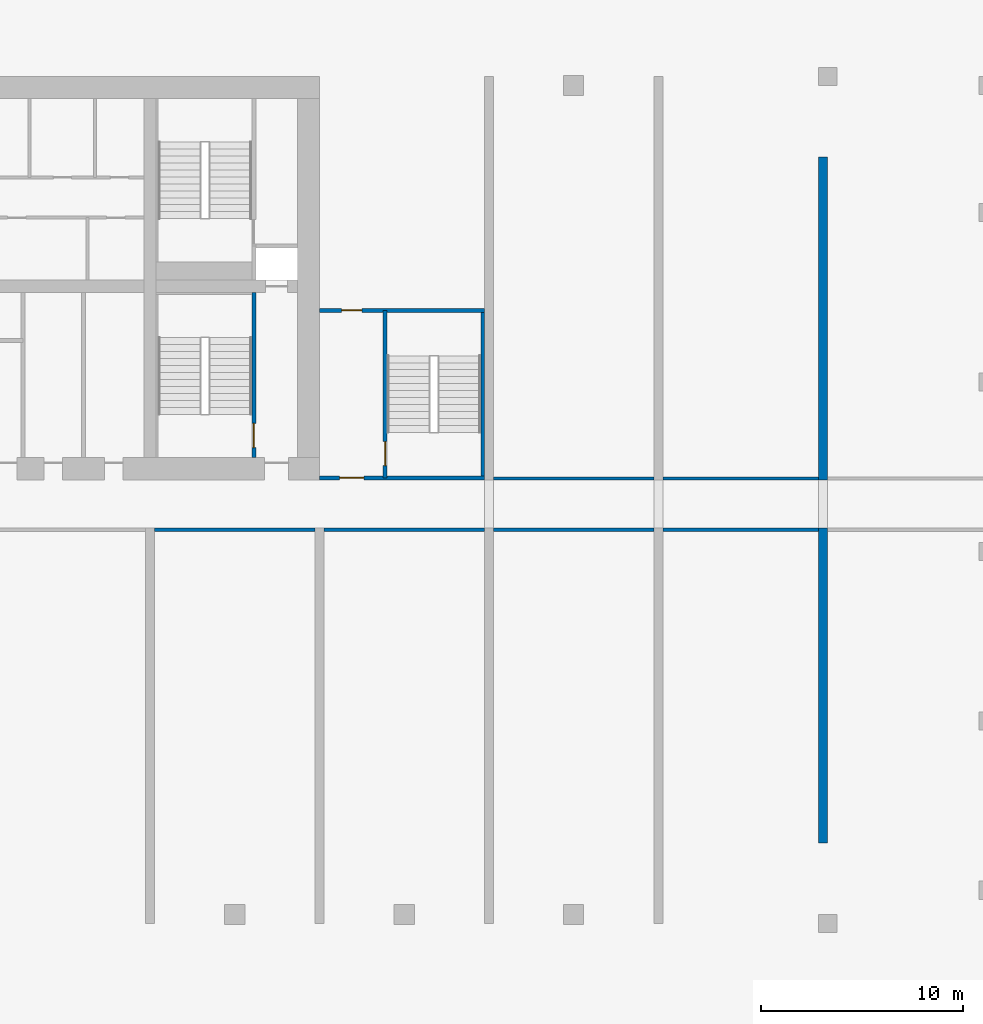
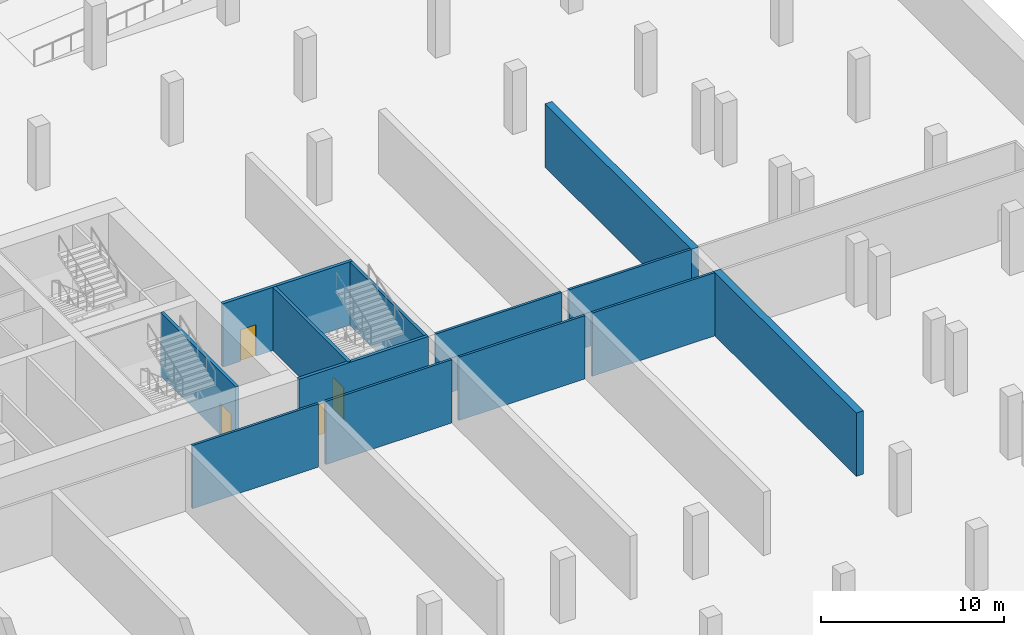
# One storey, part 6 of 12: 13 walls, 4 doors, 4 openings.
"""IFC4 building model written with IfcOpenShell, lengths in metres."""

from ifc_helpers import new_model, si_unit, direction, frame, frame_2d, origin, place, context, subcontext, project, spatial, rectangle, extrude, source, transform, mapped, material, layer, layer_set, type_object, element, fill, save


model = new_model("IFC4")

# Units and contexts
model_context = context("Model", 3, precision=1e-05, world=origin(), true_north=direction((0.0, 1.0)))
body_context = subcontext(model_context, "Body", "Model", "MODEL_VIEW")
ifc_project = project(units=[si_unit("LENGTHUNIT", "METRE"), si_unit("AREAUNIT", "SQUARE_METRE"), si_unit("VOLUMEUNIT", "CUBIC_METRE"), si_unit("PLANEANGLEUNIT", "RADIAN"), si_unit("MASSUNIT", "GRAM", prefix="KILO")], contexts=[model_context])

# Site, building, storey
site_placement = place(None, origin())
site = spatial("IfcSite", under=ifc_project, at=site_placement, CompositionType="ELEMENT")
building_placement = place(site_placement, origin())
building = spatial("IfcBuilding", under=site, at=building_placement, Name="Vanashikhar Sky Hotel", CompositionType="ELEMENT")
storey_placement = place(building_placement, frame((0.0, 0.0, -4.5)))
storey = spatial("IfcBuildingStorey", under=building, at=storey_placement, Name="B1", CompositionType="ELEMENT", Elevation=-4.5)

# Walls
ifc_material_1 = material(Name="Concrete M80", Category="concrete")
ifc_layer_1 = layer(ifc_material_1, 0.449951171875)
ifc_layer_set_1 = layer_set([ifc_layer_1], Name="RC shear wall 450 Concrete M80")
wall_type_1 = type_object("IfcWallType", Name="RC shear wall 450 Concrete M80", PredefinedType="SHEAR", material=ifc_layer_set_1)
shared_shape_1 = source(origin(), body_context, "Body", "SweptSolid", [
    extrude(rectangle(XDim=15.60009765625, YDim=0.449951171875, at=frame_2d((7.800048828125, 0.0))), origin(), (0.0, 0.0, 1.0), 4.219970703125),
])
wall_1_placement = place(storey_placement, frame((100.574951171875, 4.0, 0.0), z_axis=(0.0, 0.0, 1.0), x_axis=(0.0, 1.0, 0.0)))
element("IfcWall", 1, at=wall_1_placement, inside=storey, type_object=wall_type_1, Name="CW-B1-XW13-1", PredefinedType="SHEAR", context=body_context, shape_type="MappedRepresentation", body=[
    mapped(shared_shape_1, transform((0.0, 0.0, 0.0), scale=1.0)),
])
shared_shape_2 = source(origin(), body_context, "Body", "SweptSolid", [
    extrude(rectangle(XDim=16.0, YDim=0.449951171875, at=frame_2d((8.0, 0.0))), origin(), (0.0, 0.0, 1.0), 4.219970703125),
])
wall_2_placement = place(storey_placement, frame((100.574951171875, 22.0, 0.0), z_axis=(0.0, 0.0, 1.0), x_axis=(0.0, 1.0, 0.0)))
element("IfcWall", 2, at=wall_2_placement, inside=storey, type_object=wall_type_1, Name="CW-B1-XW13-2", PredefinedType="SHEAR", context=body_context, shape_type="MappedRepresentation", body=[
    mapped(shared_shape_2, transform((0.0, 0.0, 0.0), scale=1.0)),
])

# Wall, opening, door
ifc_material_2 = material(Name="Concrete M50", Category="concrete")
ifc_layer_2 = layer(ifc_material_2, 0.199951171875)
ifc_layer_set_2 = layer_set([ifc_layer_2], Name="Stair wall 200")
wall_type_2 = type_object("IfcWallType", Name="Stair wall 200", PredefinedType="SOLIDWALL", material=ifc_layer_set_2)
shared_shape_3 = source(origin(), body_context, "Body", "SweptSolid", [
    extrude(rectangle(XDim=8.199951171875, YDim=0.199951171875, at=frame_2d((4.10009765625, 0.0))), origin(), (0.0, 0.0, 1.0), 4.219970703125),
])
wall_3_placement = place(storey_placement, frame((72.35009765625, 23.10009765625, 0.0), z_axis=(0.0, 0.0, 1.0), x_axis=(0.0, 1.0, 0.0)))
wall_3 = element("IfcWall", 3, at=wall_3_placement, inside=storey, type_object=wall_type_2, Name="Stair wall 200", PredefinedType="SOLIDWALL", context=body_context, shape_type="MappedRepresentation", body=[
    mapped(shared_shape_3, transform((0.0, 0.0, 0.0), scale=1.0)),
])
shared_shape_4 = source(origin(), body_context, "Body", "SweptSolid", [
    extrude(rectangle(XDim=1.199951171875, YDim=2.10009765625, at=frame_2d((0.60009765625, 1.050048828125))), frame((0.0, 0.10986328125, 0.0), z_axis=(0.0, -1.0, 0.0), x_axis=(1.0, 0.0, 0.0)), (0.0, 0.0, 1.0), 0.219970703125),
])
opening_1_placement = place(wall_3_placement, frame((0.5, 0.0, 0.0)))
opening_1 = element("IfcOpeningElement", 4, at=opening_1_placement, cuts=wall_3, Name="Opening DC-1", PredefinedType="OPENING", context=body_context, shape_type="MappedRepresentation", body=[
    mapped(shared_shape_4, transform((0.0, 0.0, 0.0), scale=1.0)),
])
ifc_material_3 = material(Name="Steel", Category="steel")
door_type_1 = type_object("IfcDoorType", Name="Stair door 1200 FD120", OperationType="NOTDEFINED", PredefinedType="DOOR", material=ifc_material_3)
shared_shape_5 = source(origin(), body_context, "Body", "SweptSolid", [
    extrude(rectangle(XDim=1.199951171875, YDim=2.10009765625, at=frame_2d((0.60009765625, 1.050048828125))), frame((0.0, 0.02490234375, 0.0), z_axis=(0.0, -1.0, 0.0), x_axis=(1.0, 0.0, 0.0)), (0.0, 0.0, 1.0), 0.050048828125),
])
door_1_placement = place(opening_1_placement, origin())
door_1 = element("IfcDoor", 5, at=door_1_placement, inside=storey, type_object=door_type_1, Name="Stair door 1200 FD120", OperationType="SINGLE_SWING_RIGHT", OverallHeight=2.10009765625, OverallWidth=1.199951171875, PredefinedType="DOOR", context=body_context, shape_type="MappedRepresentation", body=[
    mapped(shared_shape_5, transform((0.0, 0.0, 0.0), scale=1.0)),
])
fill(opening_1, door_1)

shared_shape_6 = source(origin(), body_context, "Body", "SweptSolid", [
    extrude(rectangle(XDim=8.2998046875, YDim=0.199951171875, at=frame_2d((4.14990234375, 0.0))), origin(), (0.0, 0.0, 1.0), 4.219970703125),
])
wall_4_placement = place(storey_placement, frame((78.85009765625, 22.10009765625, 0.0), z_axis=(0.0, 0.0, 1.0), x_axis=(0.0, 1.0, 0.0)))
wall_4 = element("IfcWall", 6, at=wall_4_placement, inside=storey, type_object=wall_type_2, Name="Stair wall 200", PredefinedType="SOLIDWALL", context=body_context, shape_type="MappedRepresentation", body=[
    mapped(shared_shape_6, transform((0.0, 0.0, 0.0), scale=1.0)),
])
opening_2_placement = place(wall_4_placement, frame((0.60009765625, 0.0, 0.0)))
opening_2 = element("IfcOpeningElement", 7, at=opening_2_placement, cuts=wall_4, Name="Opening DC-1", PredefinedType="OPENING", context=body_context, shape_type="MappedRepresentation", body=[
    mapped(shared_shape_4, transform((0.0, 0.0, 0.0), scale=1.0)),
])
door_2_placement = place(opening_2_placement, origin())
door_2 = element("IfcDoor", 8, at=door_2_placement, inside=storey, type_object=door_type_1, Name="Stair door 1200 FD120", OperationType="SINGLE_SWING_RIGHT", OverallHeight=2.10009765625, OverallWidth=1.199951171875, PredefinedType="DOOR", context=body_context, shape_type="MappedRepresentation", body=[
    mapped(shared_shape_5, transform((0.0, 0.0, 0.0), scale=1.0)),
])
fill(opening_2, door_2)

shared_shape_7 = source(origin(), body_context, "Body", "SweptSolid", [
    extrude(rectangle(XDim=8.1748046875, YDim=0.199951171875, at=frame_2d((4.08740234375, 0.0))), origin(), (0.0, 0.0, 1.0), 4.219970703125),
])
wall_5_placement = place(storey_placement, frame((83.77490234375, 22.10009765625, 0.0), z_axis=(0.0, 0.0, 1.0), x_axis=(-1.0, 0.0, 0.0)))
wall_5 = element("IfcWall", 9, at=wall_5_placement, inside=storey, type_object=wall_type_2, Name="Stair wall 200", PredefinedType="SOLIDWALL", context=body_context, shape_type="MappedRepresentation", body=[
    mapped(shared_shape_7, transform((0.0, 0.0, 0.0), scale=1.0)),
])
opening_3_placement = place(wall_5_placement, frame((5.97509765625, 0.0, 0.0)))
opening_3 = element("IfcOpeningElement", 10, at=opening_3_placement, cuts=wall_5, Name="Opening DC-2", PredefinedType="OPENING", context=body_context, shape_type="MappedRepresentation", body=[
    mapped(shared_shape_4, transform((0.0, 0.0, 0.0), scale=1.0)),
])
door_type_2 = type_object("IfcDoorType", Name="Firefighting lobby door 1200 FD120", OperationType="NOTDEFINED", PredefinedType="DOOR", material=ifc_material_3)
door_3_placement = place(opening_3_placement, origin())
door_3 = element("IfcDoor", 11, at=door_3_placement, inside=storey, type_object=door_type_2, Name="Firefighting lobby door 1200 FD120", OperationType="SINGLE_SWING_LEFT", OverallHeight=2.10009765625, OverallWidth=1.199951171875, PredefinedType="DOOR", context=body_context, shape_type="MappedRepresentation", body=[
    mapped(shared_shape_5, transform((0.0, 0.0, 0.0), scale=1.0)),
])
fill(opening_3, door_3)

wall_6_placement = place(storey_placement, frame((83.77490234375, 30.39990234375, 0.0), z_axis=(0.0, 0.0, 1.0), x_axis=(-1.0, 0.0, 0.0)))
wall_6 = element("IfcWall", 12, at=wall_6_placement, inside=storey, type_object=wall_type_2, Name="Stair wall 200", PredefinedType="SOLIDWALL", context=body_context, shape_type="MappedRepresentation", body=[
    mapped(shared_shape_7, transform((0.0, 0.0, 0.0), scale=1.0)),
])
shared_shape_8 = source(origin(), body_context, "Body", "SweptSolid", [
    extrude(rectangle(XDim=1.0, YDim=2.10009765625, at=frame_2d((0.5, 1.050048828125))), frame((0.0, 0.10986328125, 0.0), z_axis=(0.0, -1.0, 0.0), x_axis=(1.0, 0.0, 0.0)), (0.0, 0.0, 1.0), 0.219970703125),
])
opening_4_placement = place(wall_6_placement, frame((6.074951171875, 0.0, 0.0)))
opening_4 = element("IfcOpeningElement", 13, at=opening_4_placement, cuts=wall_6, Name="Opening DC-6", PredefinedType="OPENING", context=body_context, shape_type="MappedRepresentation", body=[
    mapped(shared_shape_8, transform((0.0, 0.0, 0.0), scale=1.0)),
])
door_type_3 = type_object("IfcDoorType", Name="Pocket door 1000 FD60", OperationType="NOTDEFINED", PredefinedType="DOOR", material=ifc_material_3)
shared_shape_9 = source(origin(), body_context, "Body", "SweptSolid", [
    extrude(rectangle(XDim=1.0, YDim=2.10009765625, at=frame_2d((0.5, 1.050048828125))), frame((0.0, 0.02490234375, 0.0), z_axis=(0.0, -1.0, 0.0), x_axis=(1.0, 0.0, 0.0)), (0.0, 0.0, 1.0), 0.050048828125),
])
door_4_placement = place(opening_4_placement, origin())
door_4 = element("IfcDoor", 14, at=door_4_placement, inside=storey, type_object=door_type_3, Name="Pocket door 1000 FD60", OperationType="SINGLE_SWING_LEFT", OverallHeight=2.10009765625, OverallWidth=1.0, PredefinedType="DOOR", context=body_context, shape_type="MappedRepresentation", body=[
    mapped(shared_shape_9, transform((0.0, 0.0, 0.0), scale=1.0)),
])
fill(opening_4, door_4)

# Walls
ifc_layer_3 = layer(ifc_material_2, 0.175048828125)
ifc_layer_set_3 = layer_set([ifc_layer_3], Name="Stair infill wall 175")
wall_type_3 = type_object("IfcWallType", Name="Stair infill wall 175", PredefinedType="SOLIDWALL", material=ifc_layer_set_3)
shared_shape_10 = source(origin(), body_context, "Body", "SweptSolid", [
    extrude(rectangle(XDim=8.10009765625, YDim=0.175048828125, at=frame_2d((4.050048828125, 0.0))), origin(), (0.0, 0.0, 1.0), 4.219970703125),
])
wall_7_placement = place(storey_placement, frame((83.68798828125, 22.199951171875, 0.0), z_axis=(0.0, 0.0, 1.0), x_axis=(0.0, 1.0, 0.0)))
element("IfcWall", 15, at=wall_7_placement, inside=storey, type_object=wall_type_3, Name="Stair infill wall 175", PredefinedType="SOLIDWALL", context=body_context, shape_type="MappedRepresentation", body=[
    mapped(shared_shape_10, transform((0.0, 0.0, 0.0), scale=1.0)),
])
ifc_material_4 = material(Name="Concrete M30", Category="concrete")
ifc_layer_4 = layer(ifc_material_4, 0.14990234375)
ifc_layer_set_4 = layer_set([ifc_layer_4], Name="Car park partition 150 mm")
wall_type_4 = type_object("IfcWallType", Name="Car park partition 150 mm", PredefinedType="PARTITIONING", material=ifc_layer_set_4)
shared_shape_11 = source(origin(), body_context, "Body", "SweptSolid", [
    extrude(rectangle(XDim=7.72509765625, YDim=0.14990234375, at=frame_2d((3.862548828125, 0.0))), origin(), (0.0, 0.0, 1.0), 4.219970703125),
])
for number, where, z_axis, x_axis, name in (
    (16, (92.625, 19.52490234375, 0.0), (0.0, 0.0, 1.0), (1.0, 0.0, 0.0), "Car park partition"),
    (17, (92.625, 22.074951171875, 0.0), (0.0, 0.0, 1.0), (1.0, 0.0, 0.0), "Car park partition"),
):
    element("IfcWall", number, at=place(storey_placement, frame(where, z_axis=z_axis, x_axis=x_axis)), inside=storey, type_object=wall_type_4, Name=name, PredefinedType="PARTITIONING", context=body_context, shape_type="MappedRepresentation", body=[
        mapped(shared_shape_11, transform((0.0, 0.0, 0.0), scale=1.0)),
    ])
shared_shape_12 = source(origin(), body_context, "Body", "SweptSolid", [
    extrude(rectangle(XDim=7.949951171875, YDim=0.14990234375, at=frame_2d((3.97509765625, 0.0))), origin(), (0.0, 0.0, 1.0), 4.219970703125),
])
for number, where, z_axis, x_axis, name in (
    (18, (67.425048828125, 19.52490234375, 0.0), (0.0, 0.0, 1.0), (1.0, 0.0, 0.0), "Car park partition"),
    (19, (75.824951171875, 19.52490234375, 0.0), (0.0, 0.0, 1.0), (1.0, 0.0, 0.0), "Car park partition"),
    (20, (84.22509765625, 19.52490234375, 0.0), (0.0, 0.0, 1.0), (1.0, 0.0, 0.0), "Car park partition"),
    (21, (84.22509765625, 22.074951171875, 0.0), (0.0, 0.0, 1.0), (1.0, 0.0, 0.0), "Car park partition"),
):
    element("IfcWall", number, at=place(storey_placement, frame(where, z_axis=z_axis, x_axis=x_axis)), inside=storey, type_object=wall_type_4, Name=name, PredefinedType="PARTITIONING", context=body_context, shape_type="MappedRepresentation", body=[
        mapped(shared_shape_12, transform((0.0, 0.0, 0.0), scale=1.0)),
    ])

save(model, "model.ifc")
